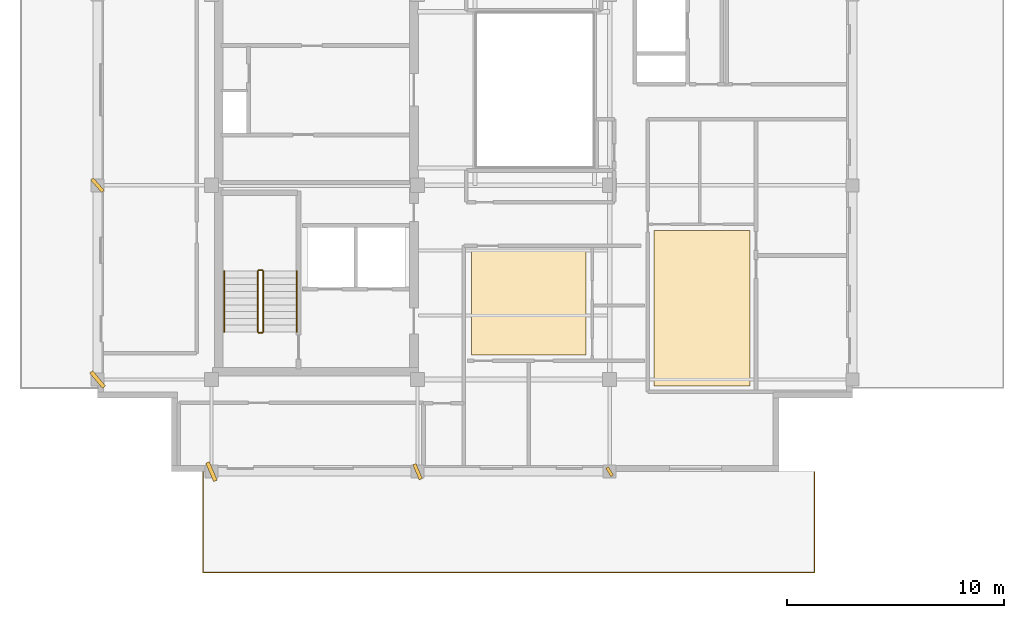
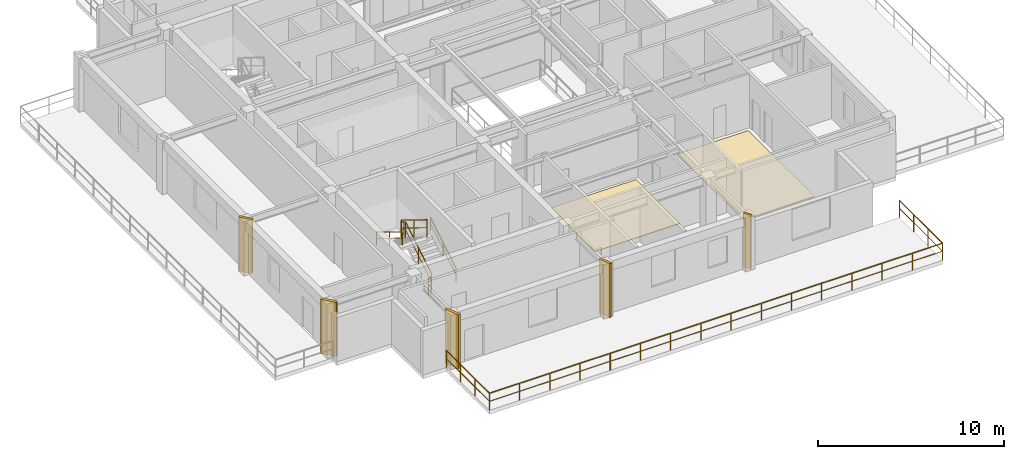
# One storey, part 7 of 9: 7 railings, 5 shading devices, 2 coverings.
"""IFC4 building model written with IfcOpenShell, lengths in metres."""

import ifcopenshell
import ifcopenshell.guid

model = None  # the IFC model being written
_history = None  # IfcOwnerHistory: only IFC2X3 demands one
_inside = {}  # id of a spatial element -> (the spatial element, [elements in it])
_under = {}  # id of a project, library or spatial element -> (it, [spatial elements below it])
_declared = {}  # id of a project -> (the project, [libraries it declares])
_typed = {}  # id of a type object -> (the type object, [elements of that type])
_made_of = {}  # id of a material, layer set ... -> (it, [elements and type objects made of it])


def new_model(schema):
    """Start an empty IFC model of exactly this schema.

    Asked for "IFC4X3", IfcOpenShell would pick the latest addendum, in which some entities
    have other attributes; the version numbers below select the first issue.
    IFC2X3 requires an IfcOwnerHistory on every rooted entity: one is made here for all.
    """
    global model, _history
    if schema == "IFC4X3":
        model = ifcopenshell.file(schema_version=(4, 3, 0, 0))
    else:
        model = ifcopenshell.file(schema=schema)
    _inside.clear()
    _under.clear()
    _declared.clear()
    _typed.clear()
    _made_of.clear()
    _history = None
    if model.schema == "IFC2X3":
        org = make("IfcOrganization", Name="unknown")
        user = make(
            "IfcPersonAndOrganization",
            ThePerson=make("IfcPerson", FamilyName="unknown"),
            TheOrganization=org,
        )
        app = make(
            "IfcApplication",
            ApplicationDeveloper=org,
            Version="unknown",
            ApplicationFullName="unknown",
            ApplicationIdentifier="unknown",
        )
        _history = make(
            "IfcOwnerHistory",
            OwningUser=user,
            OwningApplication=app,
            ChangeAction="ADDED",
            CreationDate=0,
        )
    return model


def make(cls, **values):
    """One entity of the class cls with the attributes given. An attribute that is None is left unset."""
    return model.create_entity(
        cls, **{name: value for name, value in values.items() if value is not None}
    )


def rooted(cls, **values):
    """An entity with a GlobalId (a new one), such as an element, a storey or a relation."""
    return make(cls, GlobalId=ifcopenshell.guid.new(), OwnerHistory=_history, **values)


def si_unit(unit_type, name, prefix=None):
    """IfcSIUnit, for example si_unit("LENGTHUNIT", "METRE", prefix="MILLI")."""
    return make("IfcSIUnit", UnitType=unit_type, Prefix=prefix, Name=name)


def assignment(units):
    """IfcUnitAssignment: the units of a project."""
    return None if units is None else make("IfcUnitAssignment", Units=units)


def point(xyz):
    """IfcCartesianPoint."""
    return None if xyz is None else make("IfcCartesianPoint", Coordinates=xyz)


def direction(xyz):
    """IfcDirection."""
    return None if xyz is None else make("IfcDirection", DirectionRatios=xyz)


def frame(location, z_axis=None, x_axis=None):
    """IfcAxis2Placement3D, a coordinate frame: its origin and axes. An axis left out is left unset."""
    return make(
        "IfcAxis2Placement3D",
        Location=point(location),
        Axis=direction(z_axis),
        RefDirection=direction(x_axis),
    )


def frame_2d(location, x_axis=None):
    """IfcAxis2Placement2D, a coordinate frame in the plane: its origin and x axis."""
    return make(
        "IfcAxis2Placement2D", Location=point(location), RefDirection=direction(x_axis)
    )


def origin():
    """The frame at (0, 0, 0) with its axes left unset."""
    return frame((0.0, 0.0, 0.0))


def origin_2d():
    """The frame at (0, 0) in the plane with its x axis left unset."""
    return frame_2d((0.0, 0.0))


def place(relative_to, where):
    """IfcLocalPlacement: puts the frame where relative to a parent placement (None: the world)."""
    return make(
        "IfcLocalPlacement", PlacementRelTo=relative_to, RelativePlacement=where
    )


def context(
    kind, dimensions, precision=None, world=None, true_north=None, identifier=None
):
    """IfcGeometricRepresentationContext, for example the 3D "Model" context."""
    return make(
        "IfcGeometricRepresentationContext",
        ContextIdentifier=identifier,
        ContextType=kind,
        CoordinateSpaceDimension=dimensions,
        Precision=precision,
        WorldCoordinateSystem=world,
        TrueNorth=true_north,
    )


def subcontext(parent, identifier, kind, view, scale=None):
    """IfcGeometricRepresentationSubContext, for example "Body" below "Model"."""
    return make(
        "IfcGeometricRepresentationSubContext",
        ContextIdentifier=identifier,
        ContextType=kind,
        ParentContext=parent,
        TargetScale=scale,
        TargetView=view,
    )


def project(units=None, contexts=None):
    """IfcProject with its units and contexts."""
    return rooted(
        "IfcProject",
        Name="project",
        RepresentationContexts=contexts,
        UnitsInContext=assignment(units),
    )


def spatial(cls, under=None, at=None, **own):
    """A site, building, storey or space (cls), placed at a placement, below another one or the project."""
    s = rooted(cls, ObjectPlacement=at, **own)
    if under is not None:
        _under.setdefault(under.id(), (under, []))[1].append(s)
    return s


def polyline(points):
    """IfcPolyline through the points."""
    return make("IfcPolyline", Points=[point(p) for p in points])


def profile(cls, at=None, kind="AREA", **sizes):
    """A parametric profile (cls). Its sizes go by their IFC names, for example OverallWidth=200.0."""
    return make(cls, ProfileType=kind, Position=at, **sizes)


def rectangle(**sizes):
    """IfcRectangleProfileDef."""
    return profile("IfcRectangleProfileDef", **sizes)


def outline(outer, holes=None, kind="AREA"):
    """IfcArbitraryClosedProfileDef: a profile drawn as a closed curve; with holes, ...WithVoids."""
    if holes is None:
        return make("IfcArbitraryClosedProfileDef", ProfileType=kind, OuterCurve=outer)
    return make(
        "IfcArbitraryProfileDefWithVoids",
        ProfileType=kind,
        OuterCurve=outer,
        InnerCurves=holes,
    )


def extrude(swept, where, along, depth):
    """IfcExtrudedAreaSolid: the profile swept, set in the frame where, extruded along a direction by depth."""
    return make(
        "IfcExtrudedAreaSolid",
        SweptArea=swept,
        Position=where,
        ExtrudedDirection=direction(along),
        Depth=depth,
    )


def shape(context_of_items, identifier, shape_type, items):
    """IfcShapeRepresentation: the items that make up one representation, for example the "Body"."""
    return make(
        "IfcShapeRepresentation",
        ContextOfItems=context_of_items,
        RepresentationIdentifier=identifier,
        RepresentationType=shape_type,
        Items=items,
    )


def material(Name=None, Category=None):
    """IfcMaterial."""
    return make("IfcMaterial", Name=Name, Category=Category)


def layer(
    of_material, thickness, ventilated=None, Name=None, Category=None, Priority=None
):
    """IfcMaterialLayer: one layer of a wall or slab, of a material (None: an air gap)."""
    return make(
        "IfcMaterialLayer",
        Material=of_material,
        LayerThickness=thickness,
        IsVentilated=ventilated,
        Name=Name,
        Category=Category,
        Priority=Priority,
    )


def layer_set(layers, Name=None):
    """IfcMaterialLayerSet."""
    return make("IfcMaterialLayerSet", MaterialLayers=layers, LayerSetName=Name)


def made_of(thing, what):
    """Note that an element or type object is made of a material, layer set ...; save() writes the relation."""
    if what is not None:
        _made_of.setdefault(what.id(), (what, []))[1].append(thing)
    return thing


def type_object(cls, material=None, **own):
    """A type object (cls), such as IfcWallType, which elements share."""
    return made_of(rooted(cls, **own), material)


def element(
    cls,
    number,
    at=None,
    inside=None,
    cuts=None,
    type_object=None,
    material=None,
    context=None,
    identifier="Body",
    shape_type=None,
    held_by="IfcProductDefinitionShape",
    body=None,
    shapes=None,
    **own,
):
    """One element of the class cls, such as IfcWall. Its Tag is "e" and its number.

    at: its placement. inside: the storey or other place that contains it. cuts: it is an
    opening in that element (IfcRelVoidsElement). A single representation is given by context,
    identifier, shape_type and body (its items); several are given by shapes. held_by: the class
    of the entity that holds the representations. save() writes the other relations.
    """
    e = rooted(cls, Tag="e%d" % number, ObjectPlacement=at, **own)
    if body is not None:
        shapes = [shape(context, identifier, shape_type, body)]
    if shapes is not None:
        e.Representation = make(held_by, Representations=shapes)
    if inside is not None:
        _inside.setdefault(inside.id(), (inside, []))[1].append(e)
    if cuts is not None:
        rooted(
            "IfcRelVoidsElement", RelatingBuildingElement=cuts, RelatedOpeningElement=e
        )
    if type_object is not None:
        _typed.setdefault(type_object.id(), (type_object, []))[1].append(e)
    return made_of(e, material)


def aggregate(whole, parts):
    """IfcRelAggregates: a whole, such as a stair, and the parts it consists of."""
    return rooted("IfcRelAggregates", RelatingObject=whole, RelatedObjects=parts)


def save(model, path):
    """Write the relations noted so far, then the file.

    IfcRelAggregates (storeys below a building ...), IfcRelContainedInSpatialStructure (elements
    in a storey), IfcRelDefinesByType, IfcRelAssociatesMaterial and IfcRelDeclares: one each for
    every whole, place, type object, material and project.
    """
    for whole, parts in _under.values():
        aggregate(whole, parts)
    for where, things in _inside.values():
        rooted(
            "IfcRelContainedInSpatialStructure",
            RelatedElements=things,
            RelatingStructure=where,
        )
    for kind, things in _typed.values():
        rooted("IfcRelDefinesByType", RelatedObjects=things, RelatingType=kind)
    for what, things in _made_of.values():
        rooted("IfcRelAssociatesMaterial", RelatedObjects=things, RelatingMaterial=what)
    for by, libraries in _declared.values():
        rooted("IfcRelDeclares", RelatingContext=by, RelatedDefinitions=libraries)
    model.write(path)


model = new_model("IFC4")

# Units and contexts
model_context = context("Model", 3, precision=1e-05, world=origin(), true_north=direction((0.0, 1.0)))
body_context = subcontext(model_context, "Body", "Model", "MODEL_VIEW")
ifc_project = project(units=[si_unit("LENGTHUNIT", "METRE"), si_unit("AREAUNIT", "SQUARE_METRE"), si_unit("VOLUMEUNIT", "CUBIC_METRE"), si_unit("PLANEANGLEUNIT", "RADIAN"), si_unit("MASSUNIT", "GRAM", prefix="KILO")], contexts=[model_context])

# Site, building, storey
site_placement = place(None, origin())
site = spatial("IfcSite", under=ifc_project, at=site_placement, CompositionType="ELEMENT")
building_placement = place(site_placement, origin())
building = spatial("IfcBuilding", under=site, at=building_placement, Name="Kundavana Baori Tower", CompositionType="ELEMENT")
storey_placement = place(building_placement, frame((0.0, 0.0, 327.699951171875)))
storey = spatial("IfcBuildingStorey", under=building, at=storey_placement, Name="L81", CompositionType="ELEMENT", Elevation=327.699951171875)

# Coverings
ifc_material_1 = material(Name="Honed Kota Stone and Terrazzo Flooring", Category="masonry")
ifc_layer_1 = layer(ifc_material_1, 0.0400390625, Name="COV-FLR-TERR-40")
ifc_layer_set_1 = layer_set([ifc_layer_1], Name="Honed Kota Stone and Terrazzo Flooring")
covering_type_1 = type_object("IfcCoveringType", Name="COV-FLR-TERR-40", PredefinedType="FLOORING", material=ifc_layer_set_1)
covering_1_placement = place(storey_placement, origin())
element("IfcCovering", 1, at=covering_1_placement, inside=storey, type_object=covering_type_1, Name="L81 Room Finished Stone Flooring 1", PredefinedType="FLOORING", context=body_context, shape_type="SweptSolid", body=[
    extrude(outline(polyline([(27.43994140625, 16.389892578125), (32.719970703125, 16.389892578125), (32.719970703125, 21.139892578125), (27.43994140625, 21.139892578125), (27.43994140625, 16.389892578125)])), origin(), (0.0, 0.0, 1.0), 0.0400390625),
])
ifc_material_2 = material(Name="Honed Kota Stone and Terrazzo Flooring", Category="masonry")
ifc_layer_2 = layer(ifc_material_2, 0.030029296875, Name="COV-INT-FLR")
ifc_layer_set_2 = layer_set([ifc_layer_2], Name="Honed Kota Stone and Terrazzo Flooring")
covering_type_2 = type_object("IfcCoveringType", Name="COV-INT-FLR", PredefinedType="FLOORING", material=ifc_layer_set_2)
covering_2_placement = place(storey_placement, origin())
element("IfcCovering", 2, at=covering_2_placement, inside=storey, type_object=covering_type_2, Name="L81 Room Finished Stone Flooring 3", PredefinedType="FLOORING", context=body_context, shape_type="SweptSolid", body=[
    extrude(outline(polyline([(35.840087890625, 14.9599609375), (40.260009765625, 14.9599609375), (40.260009765625, 22.1201171875), (35.840087890625, 22.1201171875), (35.840087890625, 14.9599609375)])), origin(), (0.0, 0.0, 1.0), 0.030029296875),
])

# Railings
ifc_material_3 = material(Name="Architectural Patinated Bronze Metalwork")
railing_type_1 = type_object("IfcRailingType", Name="RL-BAL-1150", PredefinedType="BALUSTRADE", material=ifc_material_3)
railing_1_placement = place(storey_placement, frame((43.25, 11.0, 0.0)))
element("IfcRailing", 3, at=railing_1_placement, inside=storey, type_object=railing_type_1, Name="L81 Sky Terrace Guard Balustrade S", PredefinedType="BALUSTRADE", context=body_context, shape_type="SweptSolid", body=[
    extrude(rectangle(XDim=0.048095703125, YDim=0.048095703125, at=origin_2d()), frame((0.0, 0.0, 1.1259765625), z_axis=(0.0, -1.0, 0.0), x_axis=(1.0, 0.0, 0.0)), (0.0, 0.0, 1.0), 4.64990234375),
    extrude(rectangle(XDim=0.03125, YDim=0.03125, at=origin_2d()), frame((0.0, 0.0, 0.597900390625), z_axis=(0.0, -1.0, 0.0), x_axis=(1.0, 0.0, 0.0)), (0.0, 0.0, 1.0), 4.64990234375),
    extrude(rectangle(XDim=0.048095703125, YDim=0.048095703125, at=origin_2d()), frame((0.0, -4.64990234375, 1.1259765625), z_axis=(-1.0, 0.0, 0.0), x_axis=(0.0, -1.0, 0.0)), (0.0, 0.0, 1.0), 28.199951171875),
    extrude(rectangle(XDim=0.03125, YDim=0.03125, at=origin_2d()), frame((0.0, -4.64990234375, 0.597900390625), z_axis=(-1.0, 0.0, 0.0), x_axis=(0.0, -1.0, 0.0)), (0.0, 0.0, 1.0), 28.199951171875),
    extrude(rectangle(XDim=0.048095703125, YDim=0.048095703125, at=origin_2d()), frame((-28.199951171875, -4.64990234375, 1.1259765625), z_axis=(0.0, 1.0, 0.0), x_axis=(-1.0, 0.0, 0.0)), (0.0, 0.0, 1.0), 4.64990234375),
    extrude(rectangle(XDim=0.03125, YDim=0.03125, at=origin_2d()), frame((-28.199951171875, -4.64990234375, 0.597900390625), z_axis=(0.0, 1.0, 0.0), x_axis=(-1.0, 0.0, 0.0)), (0.0, 0.0, 1.0), 4.64990234375),
    extrude(rectangle(XDim=0.0419921875, YDim=0.0419921875, at=origin_2d()), origin(), (0.0, 0.0, 1.0), 1.101806640625),
    extrude(rectangle(XDim=0.0419921875, YDim=0.0419921875, at=origin_2d()), frame((0.0, -1.550048828125, 0.0)), (0.0, 0.0, 1.0), 1.101806640625),
    extrude(rectangle(XDim=0.0419921875, YDim=0.0419921875, at=origin_2d()), frame((0.0, -3.099853515625, 0.0)), (0.0, 0.0, 1.0), 1.101806640625),
    extrude(rectangle(XDim=0.0419921875, YDim=0.0419921875, at=origin_2d()), frame((0.0, -4.64990234375, 0.0)), (0.0, 0.0, 1.0), 1.101806640625),
    extrude(rectangle(XDim=0.0419921875, YDim=0.0419921875, at=origin_2d()), frame((-1.8798828125, -4.64990234375, 0.0)), (0.0, 0.0, 1.0), 1.101806640625),
    extrude(rectangle(XDim=0.0419921875, YDim=0.0419921875, at=origin_2d()), frame((-3.760009765625, -4.64990234375, 0.0)), (0.0, 0.0, 1.0), 1.101806640625),
    extrude(rectangle(XDim=0.0419921875, YDim=0.0419921875, at=origin_2d()), frame((-5.639892578125, -4.64990234375, 0.0)), (0.0, 0.0, 1.0), 1.101806640625),
    extrude(rectangle(XDim=0.0419921875, YDim=0.0419921875, at=origin_2d()), frame((-7.52001953125, -4.64990234375, 0.0)), (0.0, 0.0, 1.0), 1.101806640625),
    extrude(rectangle(XDim=0.0419921875, YDim=0.0419921875, at=origin_2d()), frame((-9.39990234375, -4.64990234375, 0.0)), (0.0, 0.0, 1.0), 1.101806640625),
    extrude(rectangle(XDim=0.0419921875, YDim=0.0419921875, at=origin_2d()), frame((-11.280029296875, -4.64990234375, 0.0)), (0.0, 0.0, 1.0), 1.101806640625),
    extrude(rectangle(XDim=0.0419921875, YDim=0.0419921875, at=origin_2d()), frame((-13.159912109375, -4.64990234375, 0.0)), (0.0, 0.0, 1.0), 1.101806640625),
    extrude(rectangle(XDim=0.0419921875, YDim=0.0419921875, at=origin_2d()), frame((-15.0400390625, -4.64990234375, 0.0)), (0.0, 0.0, 1.0), 1.101806640625),
    extrude(rectangle(XDim=0.0419921875, YDim=0.0419921875, at=origin_2d()), frame((-16.919921875, -4.64990234375, 0.0)), (0.0, 0.0, 1.0), 1.101806640625),
    extrude(rectangle(XDim=0.0419921875, YDim=0.0419921875, at=origin_2d()), frame((-18.800048828125, -4.64990234375, 0.0)), (0.0, 0.0, 1.0), 1.101806640625),
    extrude(rectangle(XDim=0.0419921875, YDim=0.0419921875, at=origin_2d()), frame((-20.679931640625, -4.64990234375, 0.0)), (0.0, 0.0, 1.0), 1.101806640625),
    extrude(rectangle(XDim=0.0419921875, YDim=0.0419921875, at=origin_2d()), frame((-22.56005859375, -4.64990234375, 0.0)), (0.0, 0.0, 1.0), 1.101806640625),
    extrude(rectangle(XDim=0.0419921875, YDim=0.0419921875, at=origin_2d()), frame((-24.43994140625, -4.64990234375, 0.0)), (0.0, 0.0, 1.0), 1.101806640625),
    extrude(rectangle(XDim=0.0419921875, YDim=0.0419921875, at=origin_2d()), frame((-26.320068359375, -4.64990234375, 0.0)), (0.0, 0.0, 1.0), 1.101806640625),
    extrude(rectangle(XDim=0.0419921875, YDim=0.0419921875, at=origin_2d()), frame((-28.199951171875, -4.64990234375, 0.0)), (0.0, 0.0, 1.0), 1.101806640625),
    extrude(rectangle(XDim=0.0419921875, YDim=0.0419921875, at=origin_2d()), frame((-28.199951171875, -3.099853515625, 0.0)), (0.0, 0.0, 1.0), 1.101806640625),
    extrude(rectangle(XDim=0.0419921875, YDim=0.0419921875, at=origin_2d()), frame((-28.199951171875, -1.550048828125, 0.0)), (0.0, 0.0, 1.0), 1.101806640625),
    extrude(rectangle(XDim=0.0419921875, YDim=0.0419921875, at=origin_2d()), frame((-28.199951171875, 0.0, 0.0)), (0.0, 0.0, 1.0), 1.101806640625),
])
ifc_material_4 = material(Name="Architectural Patinated Bronze Metalwork")
railing_type_2 = type_object("IfcRailingType", Name="RL-GRD-1150", PredefinedType="GUARDRAIL", material=ifc_material_4)
railing_2_placement = place(storey_placement, frame((17.840087890625, 17.449951171875, 0.18994140625)))
element("IfcRailing", 4, at=railing_2_placement, inside=storey, type_object=railing_type_2, Name="L81 ST1 stair guard 1", PredefinedType="GUARDRAIL", context=body_context, shape_type="SweptSolid", body=[
    extrude(rectangle(XDim=0.048095703125, YDim=0.048095703125, at=origin_2d()), frame((0.0, 0.0, 1.1259765625), z_axis=(0.0, 0.852576590321, 0.522602293945), x_axis=(-1.0, 0.0, 0.0)), (0.0, 0.0, 1.0), 3.2724609375),
    extrude(rectangle(XDim=0.03125, YDim=0.03125, at=origin_2d()), frame((0.0, 0.0, 0.597900390625), z_axis=(0.0, 0.852576590321, 0.522602293945), x_axis=(-1.0, 0.0, 0.0)), (0.0, 0.0, 1.0), 3.2724609375),
    extrude(rectangle(XDim=0.0419921875, YDim=0.0419921875, at=origin_2d()), origin(), (0.0, 0.0, 1.0), 1.101806640625),
    extrude(rectangle(XDim=0.0419921875, YDim=0.0419921875, at=origin_2d()), frame((0.0, 1.39501953125, 0.85498046875)), (0.0, 0.0, 1.0), 1.101806640625),
    extrude(rectangle(XDim=0.0419921875, YDim=0.0419921875, at=origin_2d()), frame((0.0, 2.7900390625, 1.710205078125)), (0.0, 0.0, 1.0), 1.101806640625),
])
railing_3_placement = place(storey_placement, frame((17.7900390625, 20.2900390625, 1.900146484375)))
element("IfcRailing", 5, at=railing_3_placement, inside=storey, type_object=railing_type_2, Name="L81 ST1 stair guard 2", PredefinedType="GUARDRAIL", context=body_context, shape_type="SweptSolid", body=[
    extrude(rectangle(XDim=0.048095703125, YDim=0.048095703125, at=origin_2d()), frame((0.0, 0.0, 1.1259765625), z_axis=(-1.0, 0.0, 0.0), x_axis=(0.0, -1.0, 0.0)), (0.0, 0.0, 1.0), 0.16015625),
    extrude(rectangle(XDim=0.03125, YDim=0.03125, at=origin_2d()), frame((0.0, 0.0, 0.597900390625), z_axis=(-1.0, 0.0, 0.0), x_axis=(0.0, -1.0, 0.0)), (0.0, 0.0, 1.0), 0.16015625),
    extrude(rectangle(XDim=0.0419921875, YDim=0.0419921875, at=origin_2d()), origin(), (0.0, 0.0, 1.0), 1.101806640625),
    extrude(rectangle(XDim=0.0419921875, YDim=0.0419921875, at=origin_2d()), frame((-0.16015625, 0.0, 0.0)), (0.0, 0.0, 1.0), 1.101806640625),
])
railing_4_placement = place(storey_placement, frame((17.580078125, 20.239990234375, 2.090087890625)))
element("IfcRailing", 6, at=railing_4_placement, inside=storey, type_object=railing_type_2, Name="L81 ST1 stair guard 3", PredefinedType="GUARDRAIL", context=body_context, shape_type="SweptSolid", body=[
    extrude(rectangle(XDim=0.048095703125, YDim=0.048095703125, at=origin_2d()), frame((0.0, 0.0, 1.1259765625), z_axis=(0.0, -0.852609830418, 0.522548061975), x_axis=(1.0, 0.0, 0.0)), (0.0, 0.0, 1.0), 3.2724609375),
    extrude(rectangle(XDim=0.03125, YDim=0.03125, at=origin_2d()), frame((0.0, 0.0, 0.597900390625), z_axis=(0.0, -0.852609830418, 0.522548061975), x_axis=(1.0, 0.0, 0.0)), (0.0, 0.0, 1.0), 3.2724609375),
    extrude(rectangle(XDim=0.0419921875, YDim=0.0419921875, at=origin_2d()), origin(), (0.0, 0.0, 1.0), 1.101806640625),
    extrude(rectangle(XDim=0.0419921875, YDim=0.0419921875, at=origin_2d()), frame((0.0, -1.39501953125, 0.85498046875)), (0.0, 0.0, 1.0), 1.101806640625),
    extrude(rectangle(XDim=0.0419921875, YDim=0.0419921875, at=origin_2d()), frame((0.0, -2.7900390625, 1.7099609375)), (0.0, 0.0, 1.0), 1.101806640625),
])
railing_5_placement = place(storey_placement, frame((17.7900390625, 17.39990234375, 0.0)))
element("IfcRailing", 7, at=railing_5_placement, inside=storey, type_object=railing_type_2, Name="L81 ST1 stair guard 4", PredefinedType="GUARDRAIL", context=body_context, shape_type="SweptSolid", body=[
    extrude(rectangle(XDim=0.048095703125, YDim=0.048095703125, at=origin_2d()), frame((0.0, 0.0, 1.1259765625), z_axis=(-1.0, 0.0, 0.0), x_axis=(0.0, -1.0, 0.0)), (0.0, 0.0, 1.0), 0.16015625),
    extrude(rectangle(XDim=0.03125, YDim=0.03125, at=origin_2d()), frame((0.0, 0.0, 0.597900390625), z_axis=(-1.0, 0.0, 0.0), x_axis=(0.0, -1.0, 0.0)), (0.0, 0.0, 1.0), 0.16015625),
    extrude(rectangle(XDim=0.0419921875, YDim=0.0419921875, at=origin_2d()), origin(), (0.0, 0.0, 1.0), 1.101806640625),
    extrude(rectangle(XDim=0.0419921875, YDim=0.0419921875, at=origin_2d()), frame((-0.16015625, 0.0, 0.0)), (0.0, 0.0, 1.0), 1.101806640625),
])
ifc_material_5 = material(Name="Architectural Patinated Bronze Metalwork")
railing_type_3 = type_object("IfcRailingType", Name="RL-HND-920", PredefinedType="HANDRAIL", material=ifc_material_5)
railing_6_placement = place(storey_placement, frame((19.389892578125, 17.449951171875, 0.18994140625)))
element("IfcRailing", 8, at=railing_6_placement, inside=storey, type_object=railing_type_3, Name="L81 ST1 stair handrail 1", PredefinedType="HANDRAIL", context=body_context, shape_type="SweptSolid", body=[
    extrude(rectangle(XDim=0.048095703125, YDim=0.048095703125, at=origin_2d()), frame((0.0, 0.0, 0.8759765625), z_axis=(0.0, 0.852576590321, 0.522602293945), x_axis=(-1.0, 0.0, 0.0)), (0.0, 0.0, 1.0), 3.2724609375),
    extrude(rectangle(XDim=0.03125, YDim=0.03125, at=origin_2d()), frame((0.0, 0.0, 0.468017578125), z_axis=(0.0, 0.852576590321, 0.522602293945), x_axis=(-1.0, 0.0, 0.0)), (0.0, 0.0, 1.0), 3.2724609375),
    extrude(rectangle(XDim=0.0419921875, YDim=0.0419921875, at=origin_2d()), origin(), (0.0, 0.0, 1.0), 0.851806640625),
    extrude(rectangle(XDim=0.0419921875, YDim=0.0419921875, at=origin_2d()), frame((0.0, 1.39501953125, 0.85498046875)), (0.0, 0.0, 1.0), 0.851806640625),
    extrude(rectangle(XDim=0.0419921875, YDim=0.0419921875, at=origin_2d()), frame((0.0, 2.7900390625, 1.710205078125)), (0.0, 0.0, 1.0), 0.851806640625),
])
railing_7_placement = place(storey_placement, frame((16.030029296875, 20.239990234375, 2.090087890625)))
element("IfcRailing", 9, at=railing_7_placement, inside=storey, type_object=railing_type_3, Name="L81 ST1 stair handrail 2", PredefinedType="HANDRAIL", context=body_context, shape_type="SweptSolid", body=[
    extrude(rectangle(XDim=0.048095703125, YDim=0.048095703125, at=origin_2d()), frame((0.0, 0.0, 0.8759765625), z_axis=(0.0, -0.852609830418, 0.522548061975), x_axis=(1.0, 0.0, 0.0)), (0.0, 0.0, 1.0), 3.2724609375),
    extrude(rectangle(XDim=0.03125, YDim=0.03125, at=origin_2d()), frame((0.0, 0.0, 0.468017578125), z_axis=(0.0, -0.852609830418, 0.522548061975), x_axis=(1.0, 0.0, 0.0)), (0.0, 0.0, 1.0), 3.2724609375),
    extrude(rectangle(XDim=0.0419921875, YDim=0.0419921875, at=origin_2d()), origin(), (0.0, 0.0, 1.0), 0.851806640625),
    extrude(rectangle(XDim=0.0419921875, YDim=0.0419921875, at=origin_2d()), frame((0.0, -1.39501953125, 0.85498046875)), (0.0, 0.0, 1.0), 0.851806640625),
    extrude(rectangle(XDim=0.0419921875, YDim=0.0419921875, at=origin_2d()), frame((0.0, -2.7900390625, 1.7099609375)), (0.0, 0.0, 1.0), 0.851806640625),
])

# Shading devices
ifc_material_6 = material(Name="Red-Buff Dholpur Sandstone Cladding on Concrete C40/50", Category="masonry")
shading_device_type_1 = type_object("IfcShadingDeviceType", Name="SHD-FIN-750", PredefinedType="JALOUSIE", material=ifc_material_6)
for number, where, z_axis, x_axis, name in (
    (10, (24.949951171875, 11.0, 0.0), (0.0, 0.0, 1.0), (0.918791210149, 0.394743856384, 0.0), "L81 Sweeping Dholpur Sandstone Facade Fin 2"),
    (11, (10.199951171875, 24.199951171875, 0.0), (0.0, 0.0, 1.0), (0.750687887408, 0.660657018202, 0.0), "L81 Sweeping Dholpur Sandstone Facade Fin 5"),
):
    element("IfcShadingDevice", number, at=place(storey_placement, frame(where, z_axis=z_axis, x_axis=x_axis)), inside=storey, type_object=shading_device_type_1, Name=name, PredefinedType="JALOUSIE", context=body_context, shape_type="SweptSolid", body=[
        extrude(rectangle(XDim=0.159912109375, YDim=0.75, at=origin_2d()), origin(), (0.0, 0.0, 1.0), 3.56005859375),
    ])
ifc_material_7 = material(Name="Red-Buff Dholpur Sandstone Cladding on Concrete C40/50", Category="masonry")
shading_device_type_2 = type_object("IfcShadingDeviceType", Name="SHD-FIN-920", PredefinedType="JALOUSIE", material=ifc_material_7)
for number, where, z_axis, x_axis, name in (
    (12, (15.449951171875, 11.0, 0.0), (0.0, 0.0, 1.0), (0.919135339255, 0.393941909591, 0.0), "L81 Sweeping Dholpur Sandstone Facade Fin 1"),
    (13, (10.199951171875, 15.25, 0.0), (0.0, 0.0, 1.0), (0.765595506068, 0.64332225291, 0.0), "L81 Sweeping Dholpur Sandstone Facade Fin 4"),
):
    element("IfcShadingDevice", number, at=place(storey_placement, frame(where, z_axis=z_axis, x_axis=x_axis)), inside=storey, type_object=shading_device_type_2, Name=name, PredefinedType="JALOUSIE", context=body_context, shape_type="SweptSolid", body=[
        extrude(rectangle(XDim=0.179931640625, YDim=0.919921875, at=origin_2d()), origin(), (0.0, 0.0, 1.0), 3.56005859375),
    ])
ifc_material_8 = material(Name="Architectural Patinated Bronze Metalwork")
shading_device_type_3 = type_object("IfcShadingDeviceType", Name="SHD-LOUV-450", PredefinedType="SHUTTER", material=ifc_material_8)
shading_device_placement = place(storey_placement, frame((33.800048828125, 11.0, 0.0), z_axis=(0.0, 0.0, 1.0), x_axis=(0.854095929175, 0.520115510024, 0.0)))
element("IfcShadingDevice", 14, at=shading_device_placement, inside=storey, type_object=shading_device_type_3, Name="L81 Sweeping Dholpur Sandstone Facade Fin 3", PredefinedType="SHUTTER", context=body_context, shape_type="SweptSolid", body=[
    extrude(rectangle(XDim=0.139892578125, YDim=0.449951171875, at=origin_2d()), origin(), (0.0, 0.0, 1.0), 3.56005859375),
])

save(model, "model.ifc")
